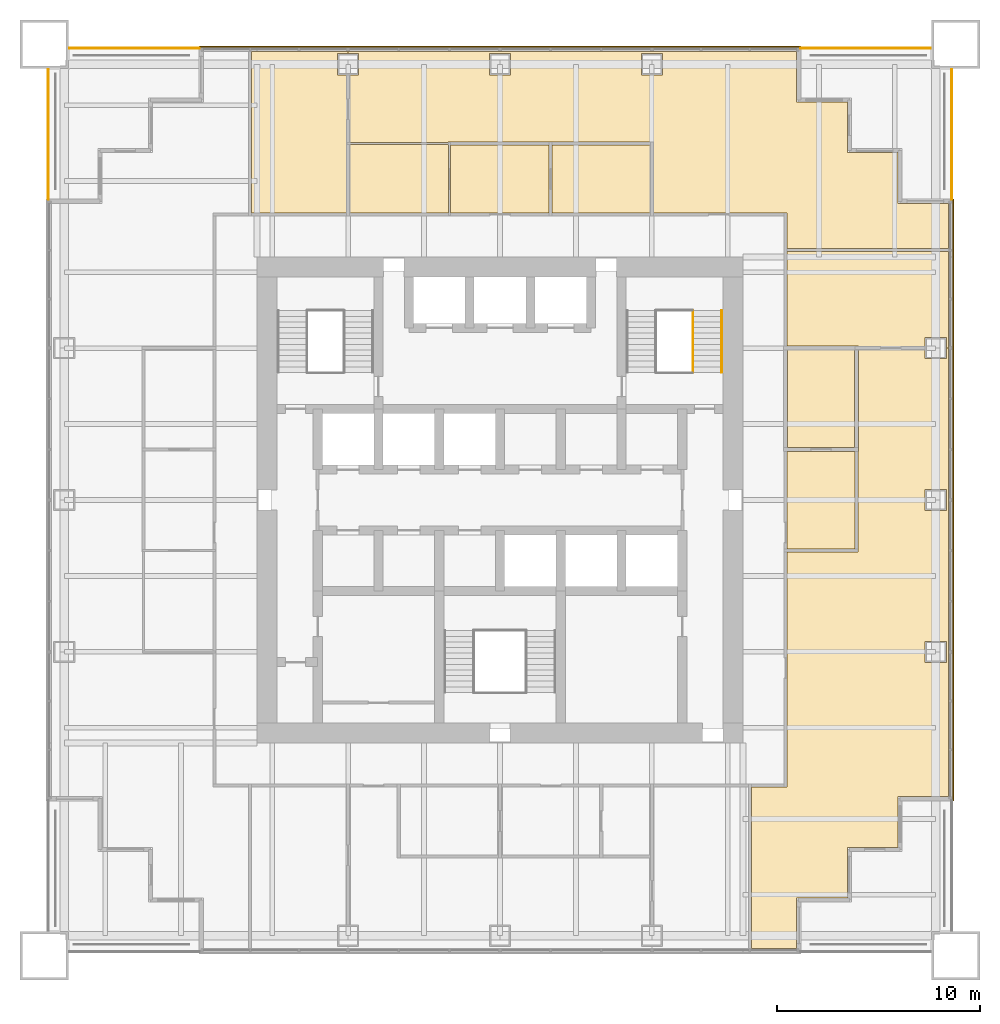
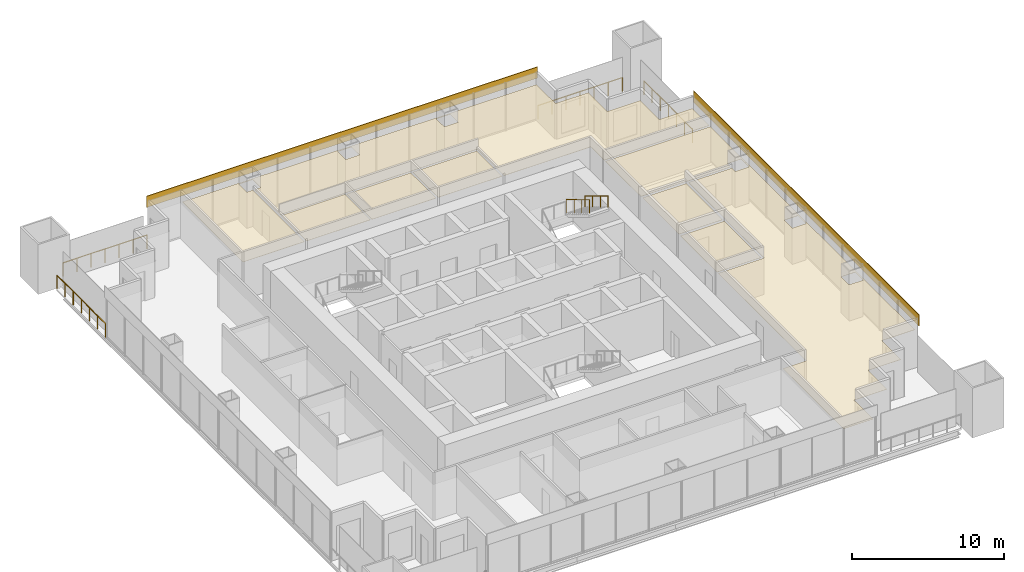
# One storey, part 13 of 13: 11 coverings, 6 railings.
"""IFC4 building model written with IfcOpenShell, lengths in metres."""

from ifc_helpers import new_model, si_unit, direction, frame, origin, origin_2d, place, context, subcontext, project, spatial, polyline, rectangle, circle, outline, extrude, material, layer, layer_set, type_object, element, save


model = new_model("IFC4")

# Units and contexts
model_context = context("Model", 3, precision=1e-05, world=origin(), true_north=direction((0.0, 1.0)))
body_context = subcontext(model_context, "Body", "Model", "MODEL_VIEW")
ifc_project = project(units=[si_unit("LENGTHUNIT", "METRE"), si_unit("AREAUNIT", "SQUARE_METRE"), si_unit("VOLUMEUNIT", "CUBIC_METRE"), si_unit("PLANEANGLEUNIT", "RADIAN"), si_unit("MASSUNIT", "GRAM", prefix="KILO")], contexts=[model_context])

# Site, building, storey
site_placement = place(None, origin())
site = spatial("IfcSite", under=ifc_project, at=site_placement, CompositionType="ELEMENT")
building_placement = place(site_placement, origin())
building = spatial("IfcBuilding", under=site, at=building_placement, Name="Tarangal Relay Tower", CompositionType="ELEMENT")
storey_placement = place(building_placement, frame((0.0, 0.0, 209.89990234375)))
storey = spatial("IfcBuildingStorey", under=building, at=storey_placement, Name="L44", CompositionType="ELEMENT", Elevation=209.89990234375)

# Coverings
ifc_material_1 = material(Name="Black anodised aluminium cladding", Category="aluminium")
ifc_layer_1 = layer(ifc_material_1, 0.050048828125)
ifc_layer_set_1 = layer_set([ifc_layer_1], Name="Black metal spandrel band")
covering_type_1 = type_object("IfcCoveringType", Name="Black metal spandrel band", PredefinedType="CLADDING", material=ifc_layer_set_1)
for number, where, z_axis, x_axis, name in (
    (1, (0.0, 22.375, 3.250244140625), (0.0, 0.0, 1.0), (1.0, 0.0, 0.0), "Spandrel band SB1 N L44"),
    (2, (22.375, 0.0, 3.250244140625), (0.0, 0.0, 1.0), (0.0, -1.0, 0.0), "Spandrel band SB1 E L44"),
):
    element("IfcCovering", number, at=place(storey_placement, frame(where, z_axis=z_axis, x_axis=x_axis)), inside=storey, type_object=covering_type_1, Name=name, PredefinedType="CLADDING", context=body_context, shape_type="SweptSolid", body=[
        extrude(rectangle(XDim=29.699951171875, YDim=0.050048828125, at=origin_2d()), origin(), (0.0, 0.0, 1.0), 0.89990234375),
    ])

# Railings
ifc_material_2 = material(Name="Steel guard, black finish", Category="steel")
railing_type_1 = type_object("IfcRailingType", Name="Stair guard 1100", PredefinedType="GUARDRAIL", material=ifc_material_2)
railing_1_placement = place(storey_placement, frame((9.530029296875, 9.346923828125, 2.166748046875)))
element("IfcRailing", 3, at=railing_1_placement, inside=storey, type_object=railing_type_1, Name="Stair ST-B guard GR1 L44 flight 2", PredefinedType="GUARDRAIL", context=body_context, shape_type="SweptSolid", body=[
    extrude(circle(Radius=0.02392578125, at=origin_2d()), frame((0.0, 0.0, 1.076171875), z_axis=(0.0, -0.85685617095, 0.515555527858), x_axis=(1.0, 0.0, 0.0)), (0.0, 0.0, 1.0), 3.555908203125),
    extrude(circle(Radius=0.02099609375, at=origin_2d()), origin(), (0.0, 0.0, 1.0), 1.052001953125),
    extrude(circle(Radius=0.02099609375, at=origin_2d()), frame((0.0, -1.015625, 0.611083984375)), (0.0, 0.0, 1.0), 1.052001953125),
    extrude(circle(Radius=0.02099609375, at=origin_2d()), frame((0.0, -2.03125, 1.22216796875)), (0.0, 0.0, 1.0), 1.052001953125),
    extrude(circle(Radius=0.02099609375, at=origin_2d()), frame((0.0, -3.046875, 1.833251953125)), (0.0, 0.0, 1.0), 1.052001953125),
])
ifc_material_3 = material(Name="Steel handrail, black finish", Category="steel")
railing_type_2 = type_object("IfcRailingType", Name="Stair handrail 900", PredefinedType="HANDRAIL", material=ifc_material_3)
railing_2_placement = place(storey_placement, frame((10.93994140625, 9.346923828125, 2.166748046875)))
element("IfcRailing", 4, at=railing_2_placement, inside=storey, type_object=railing_type_2, Name="Stair ST-B handrail HR1 L44 flight 2", PredefinedType="HANDRAIL", context=body_context, shape_type="SweptSolid", body=[
    extrude(circle(Radius=0.02392578125, at=origin_2d()), frame((0.0, 0.0, 0.8759765625), z_axis=(0.0, -0.85685617095, 0.515555527858), x_axis=(1.0, 0.0, 0.0)), (0.0, 0.0, 1.0), 3.555908203125),
    extrude(circle(Radius=0.02099609375, at=origin_2d()), origin(), (0.0, 0.0, 1.0), 0.851806640625),
    extrude(circle(Radius=0.02099609375, at=origin_2d()), frame((0.0, -1.015625, 0.611083984375)), (0.0, 0.0, 1.0), 0.851806640625),
    extrude(circle(Radius=0.02099609375, at=origin_2d()), frame((0.0, -2.03125, 1.22216796875)), (0.0, 0.0, 1.0), 0.851806640625),
    extrude(circle(Radius=0.02099609375, at=origin_2d()), frame((0.0, -3.046875, 1.833251953125)), (0.0, 0.0, 1.0), 0.851806640625),
])

# Coverings
ifc_material_4 = material(Name="Mineral fibre ceiling tiles", Category="gypsum")
ifc_layer_2 = layer(ifc_material_4, 0.02001953125)
ifc_layer_set_2 = layer_set([ifc_layer_2], Name="Suspended ceiling")
covering_type_2 = type_object("IfcCoveringType", Name="Suspended ceiling", PredefinedType="CEILING", material=ifc_layer_set_2)
covering_1_placement = place(storey_placement, frame((0.0, 0.0, 2.900146484375)))
element("IfcCovering", 5, at=covering_1_placement, inside=storey, type_object=covering_type_2, Name="Suspended ceiling CL1 L44-02", PredefinedType="CEILING", context=body_context, shape_type="SweptSolid", body=[
    extrude(outline(polyline([(-7.5, 22.14990234375), (-12.258056640625, 22.14990234375), (-12.258056640625, 14.175048828125), (-7.574951171875, 14.175048828125), (-7.574951171875, 20.989990234375), (-8.02490234375, 20.989990234375), (-8.02490234375, 22.0400390625), (-7.5, 22.0400390625), (-7.5, 22.14990234375)])), origin(), (0.0, 0.0, 1.0), 0.02001953125),
])
covering_2_placement = place(storey_placement, frame((0.0, 0.0, 2.900146484375)))
element("IfcCovering", 6, at=covering_2_placement, inside=storey, type_object=covering_type_2, Name="Suspended ceiling CL1 L44-03", PredefinedType="CEILING", context=body_context, shape_type="SweptSolid", body=[
    extrude(outline(polyline([(-7.425048828125, 14.175048828125), (-2.550048828125, 14.175048828125), (-2.550048828125, 17.52490234375), (-2.574951171875, 17.52490234375), (-2.574951171875, 17.550048828125), (-7.425048828125, 17.550048828125), (-7.425048828125, 14.175048828125)])), origin(), (0.0, 0.0, 1.0), 0.02001953125),
])
covering_3_placement = place(storey_placement, frame((0.0, 0.0, 2.900146484375)))
element("IfcCovering", 7, at=covering_3_placement, inside=storey, type_object=covering_type_2, Name="Suspended ceiling CL1 L44-04", PredefinedType="CEILING", context=body_context, shape_type="SweptSolid", body=[
    extrude(outline(polyline([(-2.449951171875, 14.175048828125), (2.425048828125, 14.175048828125), (2.425048828125, 17.52490234375), (-2.449951171875, 17.52490234375), (-2.449951171875, 14.175048828125)])), origin(), (0.0, 0.0, 1.0), 0.02001953125),
])
covering_4_placement = place(storey_placement, frame((0.0, 0.0, 2.900146484375)))
element("IfcCovering", 8, at=covering_4_placement, inside=storey, type_object=covering_type_2, Name="Suspended ceiling CL1 L44-05", PredefinedType="CEILING", context=body_context, shape_type="SweptSolid", body=[
    extrude(outline(polyline([(7.425048828125, 14.175048828125), (7.425048828125, 17.52490234375), (2.574951171875, 17.52490234375), (2.574951171875, 14.175048828125), (7.425048828125, 14.175048828125)])), origin(), (0.0, 0.0, 1.0), 0.02001953125),
])
covering_5_placement = place(storey_placement, frame((0.0, 0.0, 2.900146484375)))
element("IfcCovering", 9, at=covering_5_placement, inside=storey, type_object=covering_type_2, Name="Suspended ceiling CL1 L44-06", PredefinedType="CEILING", context=body_context, shape_type="SweptSolid", body=[
    extrude(outline(polyline([(22.14990234375, 7.5), (22.14990234375, 12.258056640625), (14.175048828125, 12.258056640625), (14.175048828125, 7.60009765625), (17.699951171875, 7.60009765625), (17.699951171875, 7.574951171875), (20.989990234375, 7.574951171875), (20.989990234375, 8.02490234375), (22.0400390625, 8.02490234375), (22.0400390625, 7.5), (22.14990234375, 7.5)])), origin(), (0.0, 0.0, 1.0), 0.02001953125),
])
covering_6_placement = place(storey_placement, frame((0.0, 0.0, 2.900146484375)))
element("IfcCovering", 10, at=covering_6_placement, inside=storey, type_object=covering_type_2, Name="Suspended ceiling CL1 L44-07", PredefinedType="CEILING", context=body_context, shape_type="SweptSolid", body=[
    extrude(outline(polyline([(17.5, 7.39990234375), (14.199951171875, 7.39990234375), (14.199951171875, 2.60009765625), (17.5, 2.60009765625), (17.5, 7.39990234375)])), origin(), (0.0, 0.0, 1.0), 0.02001953125),
])
covering_7_placement = place(storey_placement, frame((0.0, 0.0, 2.900146484375)))
element("IfcCovering", 11, at=covering_7_placement, inside=storey, type_object=covering_type_2, Name="Suspended ceiling CL1 L44-08", PredefinedType="CEILING", context=body_context, shape_type="SweptSolid", body=[
    extrude(outline(polyline([(14.175048828125, 2.39990234375), (14.175048828125, -2.425048828125), (17.52490234375, -2.425048828125), (17.52490234375, 2.39990234375), (14.175048828125, 2.39990234375)])), origin(), (0.0, 0.0, 1.0), 0.02001953125),
])
covering_8_placement = place(storey_placement, frame((0.0, 0.0, 2.900146484375)))
element("IfcCovering", 12, at=covering_8_placement, inside=storey, type_object=covering_type_2, Name="Suspended ceiling CL1 L44-18", PredefinedType="CEILING", context=body_context, shape_type="SweptSolid", body=[
    extrude(outline(polyline([(-7.5, 22.14990234375), (-7.5, 22.0400390625), (-6.97509765625, 22.0400390625), (-6.97509765625, 20.989990234375), (-7.425048828125, 20.989990234375), (-7.425048828125, 17.64990234375), (-2.574951171875, 17.64990234375), (-2.574951171875, 17.675048828125), (7.574951171875, 17.675048828125), (7.574951171875, 14.175048828125), (14.175048828125, 14.175048828125), (14.175048828125, 12.407958984375), (22.14990234375, 12.407958984375), (22.14990234375, 14.64990234375), (19.64990234375, 14.64990234375), (19.64990234375, 17.14990234375), (17.14990234375, 17.14990234375), (17.14990234375, 19.64990234375), (14.64990234375, 19.64990234375), (14.64990234375, 22.14990234375), (-7.5, 22.14990234375)]), holes=[polyline([(-0.52490234375, 20.989990234375), (0.52490234375, 20.989990234375), (0.52490234375, 22.0400390625), (-0.52490234375, 22.0400390625), (-0.52490234375, 20.989990234375)]), polyline([(6.97509765625, 20.989990234375), (8.02490234375, 20.989990234375), (8.02490234375, 22.0400390625), (6.97509765625, 22.0400390625), (6.97509765625, 20.989990234375)])]), origin(), (0.0, 0.0, 1.0), 0.02001953125),
])
covering_9_placement = place(storey_placement, frame((0.0, 0.0, 2.900146484375)))
element("IfcCovering", 13, at=covering_9_placement, inside=storey, type_object=covering_type_2, Name="Suspended ceiling CL1 L44-19", PredefinedType="CEILING", context=body_context, shape_type="SweptSolid", body=[
    extrude(outline(polyline([(22.14990234375, 7.5), (22.0400390625, 7.5), (22.0400390625, 6.97509765625), (20.989990234375, 6.97509765625), (20.989990234375, 7.425048828125), (17.699951171875, 7.425048828125), (17.699951171875, 2.39990234375), (17.675048828125, 2.39990234375), (17.675048828125, -2.574951171875), (14.175048828125, -2.574951171875), (14.175048828125, -14.175048828125), (12.407958984375, -14.175048828125), (12.407958984375, -22.14990234375), (14.64990234375, -22.14990234375), (14.64990234375, -19.64990234375), (17.14990234375, -19.64990234375), (17.14990234375, -17.14990234375), (19.64990234375, -17.14990234375), (19.64990234375, -14.64990234375), (22.14990234375, -14.64990234375), (22.14990234375, 7.5)]), holes=[polyline([(22.0400390625, -8.02490234375), (22.0400390625, -6.97509765625), (20.989990234375, -6.97509765625), (20.989990234375, -8.02490234375), (22.0400390625, -8.02490234375)]), polyline([(20.989990234375, -0.52490234375), (22.0400390625, -0.52490234375), (22.0400390625, 0.52490234375), (20.989990234375, 0.52490234375), (20.989990234375, -0.52490234375)])]), origin(), (0.0, 0.0, 1.0), 0.02001953125),
])

# Railings
ifc_material_5 = material(Name="Black steel guard with glass infill", Category="steel")
railing_type_3 = type_object("IfcRailingType", Name="Terrace guard 1100", PredefinedType="GUARDRAIL", material=ifc_material_5)
railing_3_placement = place(storey_placement, frame((14.85009765625, 22.300048828125, 0.0)))
element("IfcRailing", 14, at=railing_3_placement, inside=storey, type_object=railing_type_3, Name="Terrace guard GR2 NE L44", PredefinedType="GUARDRAIL", context=body_context, shape_type="SweptSolid", body=[
    extrude(circle(Radius=0.02392578125, at=origin_2d()), frame((0.0, 0.0, 1.076171875), z_axis=(1.0, 0.0, 0.0), x_axis=(0.0, 1.0, 0.0)), (0.0, 0.0, 1.0), 6.39990234375),
    extrude(circle(Radius=0.02099609375, at=origin_2d()), origin(), (0.0, 0.0, 1.0), 1.052001953125),
    extrude(circle(Radius=0.02099609375, at=origin_2d()), frame((1.066650390625, 0.0, 0.0)), (0.0, 0.0, 1.0), 1.052001953125),
    extrude(circle(Radius=0.02099609375, at=origin_2d()), frame((2.13330078125, 0.0, 0.0)), (0.0, 0.0, 1.0), 1.052001953125),
    extrude(circle(Radius=0.02099609375, at=origin_2d()), frame((3.199951171875, 0.0, 0.0)), (0.0, 0.0, 1.0), 1.052001953125),
    extrude(circle(Radius=0.02099609375, at=origin_2d()), frame((4.2666015625, 0.0, 0.0)), (0.0, 0.0, 1.0), 1.052001953125),
    extrude(circle(Radius=0.02099609375, at=origin_2d()), frame((5.333251953125, 0.0, 0.0)), (0.0, 0.0, 1.0), 1.052001953125),
    extrude(circle(Radius=0.02099609375, at=origin_2d()), frame((6.39990234375, 0.0, 0.0)), (0.0, 0.0, 1.0), 1.052001953125),
])
railing_4_placement = place(storey_placement, frame((22.300048828125, 21.25, 0.0)))
element("IfcRailing", 15, at=railing_4_placement, inside=storey, type_object=railing_type_3, Name="Terrace guard GR2 NE L44", PredefinedType="GUARDRAIL", context=body_context, shape_type="SweptSolid", body=[
    extrude(circle(Radius=0.02392578125, at=origin_2d()), frame((0.0, 0.0, 1.076171875), z_axis=(0.0, -1.0, 0.0), x_axis=(1.0, 0.0, 0.0)), (0.0, 0.0, 1.0), 6.39990234375),
    extrude(circle(Radius=0.02099609375, at=origin_2d()), origin(), (0.0, 0.0, 1.0), 1.052001953125),
    extrude(circle(Radius=0.02099609375, at=origin_2d()), frame((0.0, -1.066650390625, 0.0)), (0.0, 0.0, 1.0), 1.052001953125),
    extrude(circle(Radius=0.02099609375, at=origin_2d()), frame((0.0, -2.13330078125, 0.0)), (0.0, 0.0, 1.0), 1.052001953125),
    extrude(circle(Radius=0.02099609375, at=origin_2d()), frame((0.0, -3.199951171875, 0.0)), (0.0, 0.0, 1.0), 1.052001953125),
    extrude(circle(Radius=0.02099609375, at=origin_2d()), frame((0.0, -4.2666015625, 0.0)), (0.0, 0.0, 1.0), 1.052001953125),
    extrude(circle(Radius=0.02099609375, at=origin_2d()), frame((0.0, -5.333251953125, 0.0)), (0.0, 0.0, 1.0), 1.052001953125),
    extrude(circle(Radius=0.02099609375, at=origin_2d()), frame((0.0, -6.39990234375, 0.0)), (0.0, 0.0, 1.0), 1.052001953125),
])
railing_5_placement = place(storey_placement, frame((-22.300048828125, 14.85009765625, 0.0)))
element("IfcRailing", 16, at=railing_5_placement, inside=storey, type_object=railing_type_3, Name="Terrace guard GR2 NW L44", PredefinedType="GUARDRAIL", context=body_context, shape_type="SweptSolid", body=[
    extrude(circle(Radius=0.02392578125, at=origin_2d()), frame((0.0, 0.0, 1.076171875), z_axis=(0.0, 1.0, 0.0), x_axis=(-1.0, 0.0, 0.0)), (0.0, 0.0, 1.0), 6.39990234375),
    extrude(circle(Radius=0.02099609375, at=origin_2d()), origin(), (0.0, 0.0, 1.0), 1.052001953125),
    extrude(circle(Radius=0.02099609375, at=origin_2d()), frame((0.0, 1.066650390625, 0.0)), (0.0, 0.0, 1.0), 1.052001953125),
    extrude(circle(Radius=0.02099609375, at=origin_2d()), frame((0.0, 2.13330078125, 0.0)), (0.0, 0.0, 1.0), 1.052001953125),
    extrude(circle(Radius=0.02099609375, at=origin_2d()), frame((0.0, 3.199951171875, 0.0)), (0.0, 0.0, 1.0), 1.052001953125),
    extrude(circle(Radius=0.02099609375, at=origin_2d()), frame((0.0, 4.2666015625, 0.0)), (0.0, 0.0, 1.0), 1.052001953125),
    extrude(circle(Radius=0.02099609375, at=origin_2d()), frame((0.0, 5.333251953125, 0.0)), (0.0, 0.0, 1.0), 1.052001953125),
    extrude(circle(Radius=0.02099609375, at=origin_2d()), frame((0.0, 6.39990234375, 0.0)), (0.0, 0.0, 1.0), 1.052001953125),
])
railing_6_placement = place(storey_placement, frame((-21.25, 22.300048828125, 0.0)))
element("IfcRailing", 17, at=railing_6_placement, inside=storey, type_object=railing_type_3, Name="Terrace guard GR2 NW L44", PredefinedType="GUARDRAIL", context=body_context, shape_type="SweptSolid", body=[
    extrude(circle(Radius=0.02392578125, at=origin_2d()), frame((0.0, 0.0, 1.076171875), z_axis=(1.0, 0.0, 0.0), x_axis=(0.0, 1.0, 0.0)), (0.0, 0.0, 1.0), 6.39990234375),
    extrude(circle(Radius=0.02099609375, at=origin_2d()), origin(), (0.0, 0.0, 1.0), 1.052001953125),
    extrude(circle(Radius=0.02099609375, at=origin_2d()), frame((1.066650390625, 0.0, 0.0)), (0.0, 0.0, 1.0), 1.052001953125),
    extrude(circle(Radius=0.02099609375, at=origin_2d()), frame((2.13330078125, 0.0, 0.0)), (0.0, 0.0, 1.0), 1.052001953125),
    extrude(circle(Radius=0.02099609375, at=origin_2d()), frame((3.199951171875, 0.0, 0.0)), (0.0, 0.0, 1.0), 1.052001953125),
    extrude(circle(Radius=0.02099609375, at=origin_2d()), frame((4.2666015625, 0.0, 0.0)), (0.0, 0.0, 1.0), 1.052001953125),
    extrude(circle(Radius=0.02099609375, at=origin_2d()), frame((5.333251953125, 0.0, 0.0)), (0.0, 0.0, 1.0), 1.052001953125),
    extrude(circle(Radius=0.02099609375, at=origin_2d()), frame((6.39990234375, 0.0, 0.0)), (0.0, 0.0, 1.0), 1.052001953125),
])

save(model, "model.ifc")
